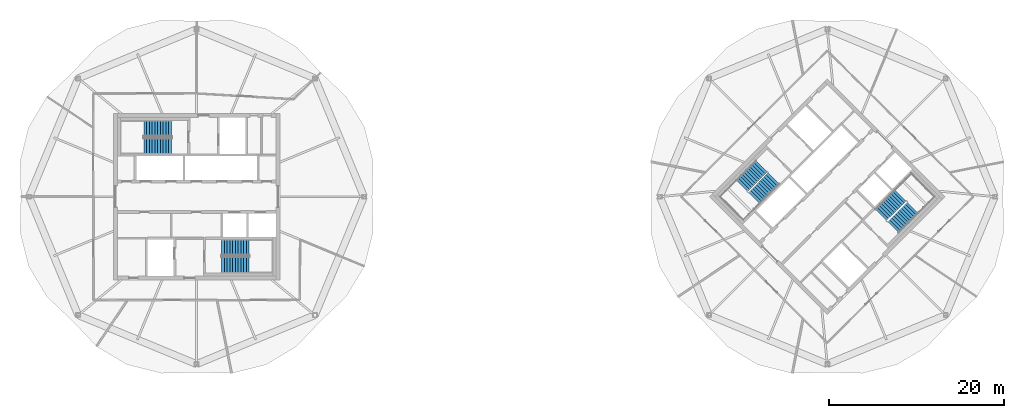
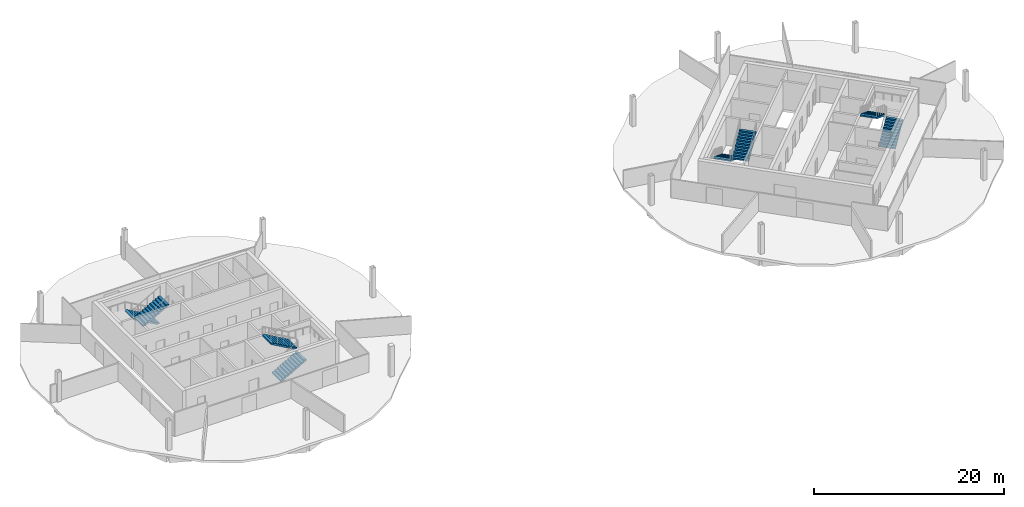
# One storey, part 9 of 10: 8 stair flights, 4 elements without a shape of their own.
"""IFC4 building model written with IfcOpenShell, lengths in metres."""

from ifc_helpers import new_model, si_unit, direction, frame, origin, place, context, subcontext, project, spatial, polyline, outline, extrude, material, type_object, element, aggregate, save


model = new_model("IFC4")

# Units and contexts
model_context = context("Model", 3, precision=1e-05, world=origin(), true_north=direction((0.0, 1.0)))
body_context = subcontext(model_context, "Body", "Model", "MODEL_VIEW")
ifc_project = project(units=[si_unit("LENGTHUNIT", "METRE"), si_unit("AREAUNIT", "SQUARE_METRE"), si_unit("VOLUMEUNIT", "CUBIC_METRE"), si_unit("PLANEANGLEUNIT", "RADIAN"), si_unit("MASSUNIT", "GRAM", prefix="KILO")], contexts=[model_context])

# Site, building, storey
site_placement = place(None, origin())
site = spatial("IfcSite", under=ifc_project, at=site_placement, CompositionType="ELEMENT")
building_placement = place(site_placement, origin())
building = spatial("IfcBuilding", under=site, at=building_placement, Name="Ogive Gate Towers", CompositionType="ELEMENT")
storey_placement = place(building_placement, frame((0.0, 0.0, 236.699951171875)))
storey = spatial("IfcBuildingStorey", under=building, at=storey_placement, Name="L56", CompositionType="ELEMENT", Elevation=236.699951171875)

# Stair, stair flights
ifc_material = material(Name="Concrete C40/50", Category="concrete")
stair_type = type_object("IfcStairType", Name="Escape stair 1840 wide", PredefinedType="HALF_TURN_STAIR", material=ifc_material)
stair_1_placement = place(storey_placement, origin())
stair_1 = element("IfcStair", 1, at=stair_1_placement, inside=storey, type_object=stair_type, Name="L56 Escape stair 1", PredefinedType="HALF_TURN_STAIR")
stair_flight_type = type_object("IfcStairFlightType", Name="Stair flight 1840 wide", PredefinedType="STRAIGHT", material=ifc_material)
stair_flight_1_placement = place(storey_placement, frame((-38.864990234375, 7.780029296875, 0.0), z_axis=(0.0, 0.0, 1.0), x_axis=(-1.0, 0.0, 0.0)))
stair_flight_1 = element("IfcStairFlight", 2, at=stair_flight_1_placement, type_object=stair_flight_type, Name="ST1 flight 1", NumberOfRisers=11, NumberOfTreads=10, PredefinedType="STRAIGHT", RiserHeight=0.177272727, TreadLength=0.313636364, context=body_context, shape_type="SweptSolid", body=[
    extrude(outline(polyline([(0.0, 0.0), (0.0, 0.17724609375), (0.313720703125, 0.17724609375), (0.313720703125, 0.3544921875), (0.627197265625, 0.3544921875), (0.627197265625, 0.53173828125), (0.94091796875, 0.53173828125), (0.94091796875, 0.708984375), (1.254638671875, 0.708984375), (1.254638671875, 0.886474609375), (1.568115234375, 0.886474609375), (1.568115234375, 1.063720703125), (1.8818359375, 1.063720703125), (1.8818359375, 1.240966796875), (2.195556640625, 1.240966796875), (2.195556640625, 1.418212890625), (2.509033203125, 1.418212890625), (2.509033203125, 1.595458984375), (2.82275390625, 1.595458984375), (2.82275390625, 1.772705078125), (3.136474609375, 1.772705078125), (3.136474609375, 1.949951171875), (3.136474609375, 1.6005859375), (0.3046875, 0.0), (0.0, 0.0)])), frame((0.0, 0.919921875, 0.0), z_axis=(0.0, -1.0, 0.0), x_axis=(1.0, 0.0, 0.0)), (0.0, 0.0, 1.0), 1.840087890625),
])
stair_flight_2_placement = place(storey_placement, frame((-42.00146484375, 5.794921875, 1.949951171875), z_axis=(0.0, 0.0, 1.0), x_axis=(1.0, 0.0, 0.0)))
stair_flight_2 = element("IfcStairFlight", 3, at=stair_flight_2_placement, type_object=stair_flight_type, Name="ST1 flight 2", NumberOfRisers=11, NumberOfTreads=10, PredefinedType="STRAIGHT", RiserHeight=0.177272727, TreadLength=0.313636364, context=body_context, shape_type="SweptSolid", body=[
    extrude(outline(polyline([(0.0, 0.0), (0.0, 0.17724609375), (0.313720703125, 0.17724609375), (0.313720703125, 0.3544921875), (0.627197265625, 0.3544921875), (0.627197265625, 0.53173828125), (0.94091796875, 0.53173828125), (0.94091796875, 0.708984375), (1.254638671875, 0.708984375), (1.254638671875, 0.886474609375), (1.568115234375, 0.886474609375), (1.568115234375, 1.063720703125), (1.8818359375, 1.063720703125), (1.8818359375, 1.240966796875), (2.195556640625, 1.240966796875), (2.195556640625, 1.418212890625), (2.509033203125, 1.418212890625), (2.509033203125, 1.595458984375), (2.82275390625, 1.595458984375), (2.82275390625, 1.772705078125), (3.136474609375, 1.772705078125), (3.136474609375, 1.949951171875), (3.136474609375, 1.6005859375), (0.3046875, 0.0), (0.0, 0.0)])), frame((0.0, 0.919921875, 0.0), z_axis=(0.0, -1.0, 0.0), x_axis=(1.0, 0.0, 0.0)), (0.0, 0.0, 1.0), 1.840087890625),
])
aggregate(stair_1, [stair_flight_1, stair_flight_2])

stair_2_placement = place(storey_placement, origin())
stair_2 = element("IfcStair", 4, at=stair_2_placement, inside=storey, type_object=stair_type, Name="L56 Escape stair 2", PredefinedType="HALF_TURN_STAIR")
stair_flight_3_placement = place(storey_placement, frame((-33.135009765625, -7.780029296875, 0.0), z_axis=(0.0, 0.0, 1.0), x_axis=(1.0, 0.0, 0.0)))
stair_flight_3 = element("IfcStairFlight", 5, at=stair_flight_3_placement, type_object=stair_flight_type, Name="ST2 flight 1", NumberOfRisers=11, NumberOfTreads=10, PredefinedType="STRAIGHT", RiserHeight=0.177272727, TreadLength=0.313636364, context=body_context, shape_type="SweptSolid", body=[
    extrude(outline(polyline([(0.0, 0.0), (0.0, 0.17724609375), (0.313720703125, 0.17724609375), (0.313720703125, 0.3544921875), (0.627197265625, 0.3544921875), (0.627197265625, 0.53173828125), (0.94091796875, 0.53173828125), (0.94091796875, 0.708984375), (1.254638671875, 0.708984375), (1.254638671875, 0.886474609375), (1.568115234375, 0.886474609375), (1.568115234375, 1.063720703125), (1.8818359375, 1.063720703125), (1.8818359375, 1.240966796875), (2.195556640625, 1.240966796875), (2.195556640625, 1.418212890625), (2.509033203125, 1.418212890625), (2.509033203125, 1.595458984375), (2.82275390625, 1.595458984375), (2.82275390625, 1.772705078125), (3.136474609375, 1.772705078125), (3.136474609375, 1.949951171875), (3.136474609375, 1.6005859375), (0.3046875, 0.0), (0.0, 0.0)])), frame((0.0, 0.919921875, 0.0), z_axis=(0.0, -1.0, 0.0), x_axis=(1.0, 0.0, 0.0)), (0.0, 0.0, 1.0), 1.840087890625),
])
stair_flight_4_placement = place(storey_placement, frame((-29.99853515625, -5.794921875, 1.949951171875), z_axis=(0.0, 0.0, 1.0), x_axis=(-1.0, 0.0, 0.0)))
stair_flight_4 = element("IfcStairFlight", 6, at=stair_flight_4_placement, type_object=stair_flight_type, Name="ST2 flight 2", NumberOfRisers=11, NumberOfTreads=10, PredefinedType="STRAIGHT", RiserHeight=0.177272727, TreadLength=0.313636364, context=body_context, shape_type="SweptSolid", body=[
    extrude(outline(polyline([(0.0, 0.0), (0.0, 0.17724609375), (0.313720703125, 0.17724609375), (0.313720703125, 0.3544921875), (0.627197265625, 0.3544921875), (0.627197265625, 0.53173828125), (0.94091796875, 0.53173828125), (0.94091796875, 0.708984375), (1.254638671875, 0.708984375), (1.254638671875, 0.886474609375), (1.568115234375, 0.886474609375), (1.568115234375, 1.063720703125), (1.8818359375, 1.063720703125), (1.8818359375, 1.240966796875), (2.195556640625, 1.240966796875), (2.195556640625, 1.418212890625), (2.509033203125, 1.418212890625), (2.509033203125, 1.595458984375), (2.82275390625, 1.595458984375), (2.82275390625, 1.772705078125), (3.136474609375, 1.772705078125), (3.136474609375, 1.949951171875), (3.136474609375, 1.6005859375), (0.3046875, 0.0), (0.0, 0.0)])), frame((0.0, 0.919921875, 0.0), z_axis=(0.0, -1.0, 0.0), x_axis=(1.0, 0.0, 0.0)), (0.0, 0.0, 1.0), 1.840087890625),
])
aggregate(stair_2, [stair_flight_3, stair_flight_4])

stair_3_placement = place(storey_placement, origin())
stair_3 = element("IfcStair", 7, at=stair_3_placement, inside=storey, type_object=stair_type, Name="L56 Escape stair 1", PredefinedType="HALF_TURN_STAIR")
stair_flight_5_placement = place(storey_placement, frame((28.472900390625, 3.475341796875, 0.0), z_axis=(0.0, 0.0, 1.0), x_axis=(-0.707106781187, -0.707106781187, 0.0)))
stair_flight_5 = element("IfcStairFlight", 8, at=stair_flight_5_placement, type_object=stair_flight_type, Name="ST1 flight 1", NumberOfRisers=11, NumberOfTreads=10, PredefinedType="STRAIGHT", RiserHeight=0.177272727, TreadLength=0.313636364, context=body_context, shape_type="SweptSolid", body=[
    extrude(outline(polyline([(0.0, 0.0), (0.0, 0.17724609375), (0.313720703125, 0.17724609375), (0.313720703125, 0.3544921875), (0.627197265625, 0.3544921875), (0.627197265625, 0.53173828125), (0.94091796875, 0.53173828125), (0.94091796875, 0.708984375), (1.254638671875, 0.708984375), (1.254638671875, 0.886474609375), (1.568115234375, 0.886474609375), (1.568115234375, 1.063720703125), (1.8818359375, 1.063720703125), (1.8818359375, 1.240966796875), (2.195556640625, 1.240966796875), (2.195556640625, 1.418212890625), (2.509033203125, 1.418212890625), (2.509033203125, 1.595458984375), (2.82275390625, 1.595458984375), (2.82275390625, 1.772705078125), (3.136474609375, 1.772705078125), (3.136474609375, 1.949951171875), (3.136474609375, 1.6005859375), (0.3046875, 0.0), (0.0, 0.0)])), frame((0.0, 0.919921875, 0.0), z_axis=(0.0, -1.0, 0.0), x_axis=(1.0, 0.0, 0.0)), (0.0, 0.0, 1.0), 1.840087890625),
])
stair_flight_6_placement = place(storey_placement, frame((27.65869140625, -0.14599609375, 1.949951171875), z_axis=(0.0, 0.0, 1.0), x_axis=(0.707106781187, 0.707106781187, 0.0)))
stair_flight_6 = element("IfcStairFlight", 9, at=stair_flight_6_placement, type_object=stair_flight_type, Name="ST1 flight 2", NumberOfRisers=11, NumberOfTreads=10, PredefinedType="STRAIGHT", RiserHeight=0.177272727, TreadLength=0.313636364, context=body_context, shape_type="SweptSolid", body=[
    extrude(outline(polyline([(0.0, 0.0), (0.0, 0.17724609375), (0.313720703125, 0.17724609375), (0.313720703125, 0.3544921875), (0.627197265625, 0.3544921875), (0.627197265625, 0.53173828125), (0.94091796875, 0.53173828125), (0.94091796875, 0.708984375), (1.254638671875, 0.708984375), (1.254638671875, 0.886474609375), (1.568115234375, 0.886474609375), (1.568115234375, 1.063720703125), (1.8818359375, 1.063720703125), (1.8818359375, 1.240966796875), (2.195556640625, 1.240966796875), (2.195556640625, 1.418212890625), (2.509033203125, 1.418212890625), (2.509033203125, 1.595458984375), (2.82275390625, 1.595458984375), (2.82275390625, 1.772705078125), (3.136474609375, 1.772705078125), (3.136474609375, 1.949951171875), (3.136474609375, 1.6005859375), (0.3046875, 0.0), (0.0, 0.0)])), frame((0.0, 0.919921875, 0.0), z_axis=(0.0, -1.0, 0.0), x_axis=(1.0, 0.0, 0.0)), (0.0, 0.0, 1.0), 1.840087890625),
])
aggregate(stair_3, [stair_flight_5, stair_flight_6])

stair_4_placement = place(storey_placement, origin())
stair_4 = element("IfcStair", 10, at=stair_4_placement, inside=storey, type_object=stair_type, Name="L56 Escape stair 2", PredefinedType="HALF_TURN_STAIR")
stair_flight_7_placement = place(storey_placement, frame((43.527099609375, -3.475341796875, 0.0), z_axis=(0.0, 0.0, 1.0), x_axis=(0.707106781187, 0.707106781187, 0.0)))
stair_flight_7 = element("IfcStairFlight", 11, at=stair_flight_7_placement, type_object=stair_flight_type, Name="ST2 flight 1", NumberOfRisers=11, NumberOfTreads=10, PredefinedType="STRAIGHT", RiserHeight=0.177272727, TreadLength=0.313636364, context=body_context, shape_type="SweptSolid", body=[
    extrude(outline(polyline([(0.0, 0.0), (0.0, 0.17724609375), (0.313720703125, 0.17724609375), (0.313720703125, 0.3544921875), (0.627197265625, 0.3544921875), (0.627197265625, 0.53173828125), (0.94091796875, 0.53173828125), (0.94091796875, 0.708984375), (1.254638671875, 0.708984375), (1.254638671875, 0.886474609375), (1.568115234375, 0.886474609375), (1.568115234375, 1.063720703125), (1.8818359375, 1.063720703125), (1.8818359375, 1.240966796875), (2.195556640625, 1.240966796875), (2.195556640625, 1.418212890625), (2.509033203125, 1.418212890625), (2.509033203125, 1.595458984375), (2.82275390625, 1.595458984375), (2.82275390625, 1.772705078125), (3.136474609375, 1.772705078125), (3.136474609375, 1.949951171875), (3.136474609375, 1.6005859375), (0.3046875, 0.0), (0.0, 0.0)])), frame((0.0, 0.919921875, 0.0), z_axis=(0.0, -1.0, 0.0), x_axis=(1.0, 0.0, 0.0)), (0.0, 0.0, 1.0), 1.840087890625),
])
stair_flight_8_placement = place(storey_placement, frame((44.34130859375, 0.14599609375, 1.949951171875), z_axis=(0.0, 0.0, 1.0), x_axis=(-0.707106781187, -0.707106781187, 0.0)))
stair_flight_8 = element("IfcStairFlight", 12, at=stair_flight_8_placement, type_object=stair_flight_type, Name="ST2 flight 2", NumberOfRisers=11, NumberOfTreads=10, PredefinedType="STRAIGHT", RiserHeight=0.177272727, TreadLength=0.313636364, context=body_context, shape_type="SweptSolid", body=[
    extrude(outline(polyline([(0.0, 0.0), (0.0, 0.17724609375), (0.313720703125, 0.17724609375), (0.313720703125, 0.3544921875), (0.627197265625, 0.3544921875), (0.627197265625, 0.53173828125), (0.94091796875, 0.53173828125), (0.94091796875, 0.708984375), (1.254638671875, 0.708984375), (1.254638671875, 0.886474609375), (1.568115234375, 0.886474609375), (1.568115234375, 1.063720703125), (1.8818359375, 1.063720703125), (1.8818359375, 1.240966796875), (2.195556640625, 1.240966796875), (2.195556640625, 1.418212890625), (2.509033203125, 1.418212890625), (2.509033203125, 1.595458984375), (2.82275390625, 1.595458984375), (2.82275390625, 1.772705078125), (3.136474609375, 1.772705078125), (3.136474609375, 1.949951171875), (3.136474609375, 1.6005859375), (0.3046875, 0.0), (0.0, 0.0)])), frame((0.0, 0.919921875, 0.0), z_axis=(0.0, -1.0, 0.0), x_axis=(1.0, 0.0, 0.0)), (0.0, 0.0, 1.0), 1.840087890625),
])
aggregate(stair_4, [stair_flight_7, stair_flight_8])

save(model, "model.ifc")
